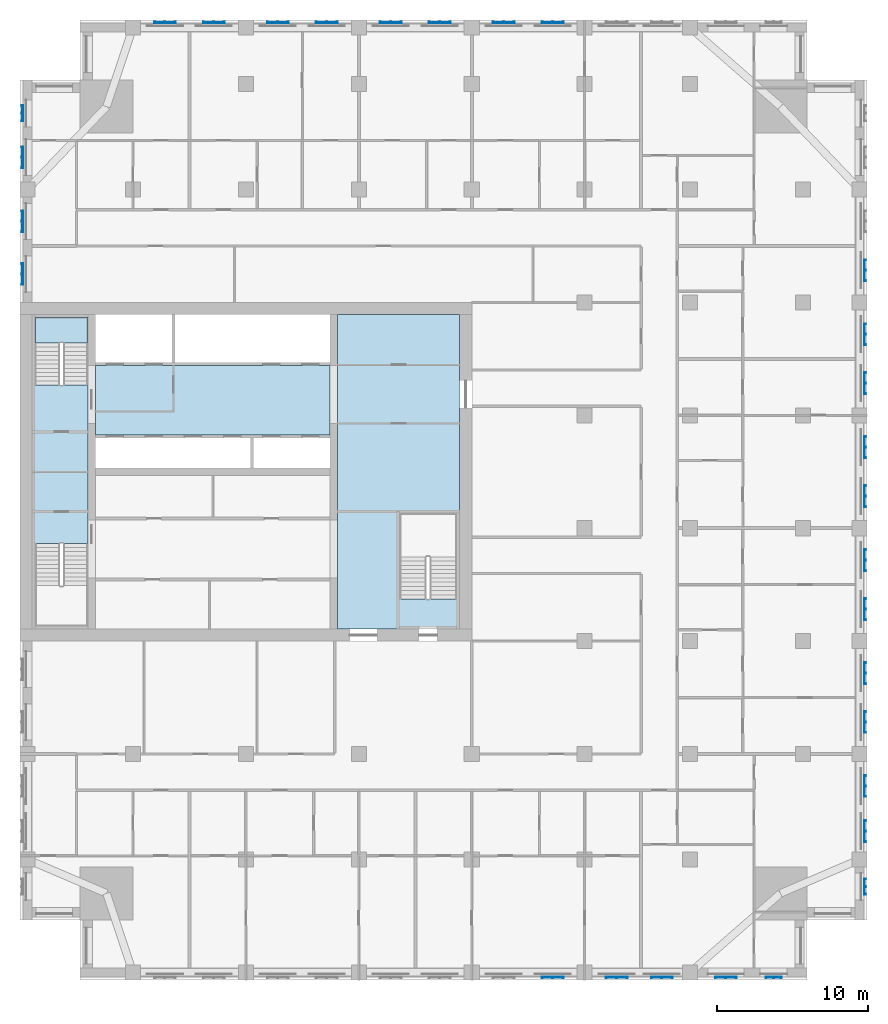
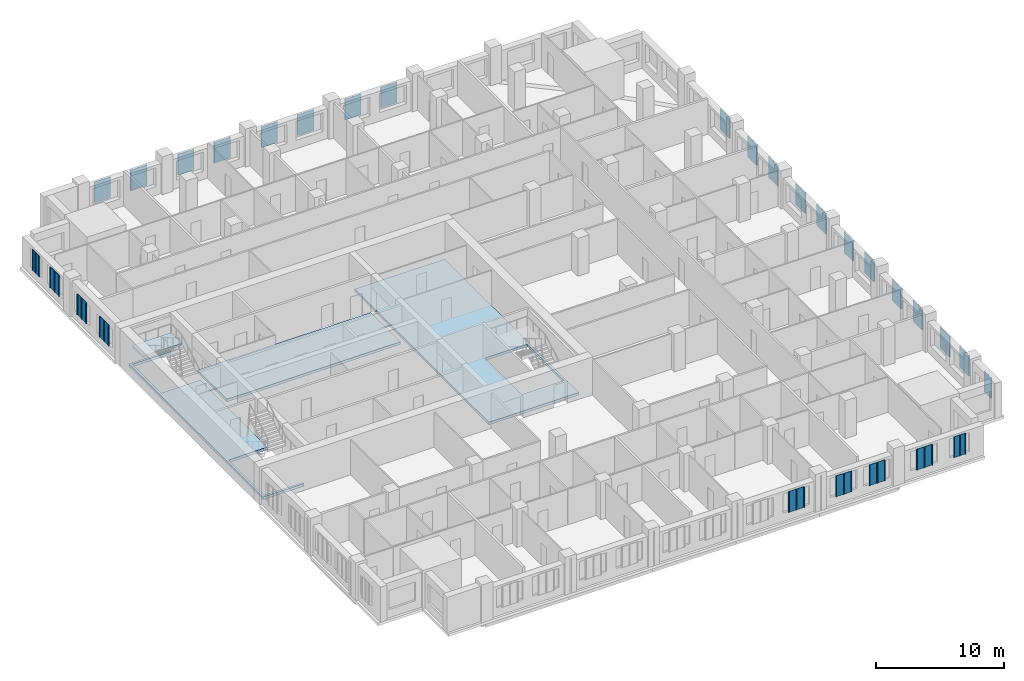
# One storey, part 2 of 13: 29 plates, 4 slabs, 1 element without a shape of its own.
"""IFC4 building model written with IfcOpenShell, lengths in metres."""

from ifc_helpers import new_model, si_unit, direction, frame, origin, place, context, subcontext, project, spatial, polyline, outline, extrude, material, layer, layer_set, type_object, element, aggregate, save


model = new_model("IFC4")

# Units and contexts
model_context = context("Model", 3, precision=1e-05, world=origin(), true_north=direction((0.0, 1.0)))
body_context = subcontext(model_context, "Body", "Model", "MODEL_VIEW")
ifc_project = project(units=[si_unit("LENGTHUNIT", "METRE"), si_unit("AREAUNIT", "SQUARE_METRE"), si_unit("VOLUMEUNIT", "CUBIC_METRE"), si_unit("PLANEANGLEUNIT", "RADIAN"), si_unit("MASSUNIT", "GRAM", prefix="KILO")], contexts=[model_context])

# Site, building, storey
site_placement = place(None, origin())
site = spatial("IfcSite", under=ifc_project, at=site_placement, CompositionType="ELEMENT")
building_placement = place(site_placement, origin())
building = spatial("IfcBuilding", under=site, at=building_placement, Name="Tamorin Gate", CompositionType="ELEMENT")
storey_placement = place(building_placement, frame((0.0, 0.0, 144.60009765625)))
storey = spatial("IfcBuildingStorey", under=building, at=storey_placement, Name="L35", CompositionType="ELEMENT", Elevation=144.60009765625)

# Slabs
ifc_material_1 = material(Name="Concrete C40/50", Category="concrete")
ifc_layer_1 = layer(ifc_material_1, 0.25)
ifc_layer_set_1 = layer_set([ifc_layer_1], Name="Core floor slab 250 C40/50")
slab_type_1 = type_object("IfcSlabType", Name="Core floor slab 250 C40/50", PredefinedType="FLOOR", material=ifc_layer_set_1)
slab_1_placement = place(storey_placement, frame((0.0, 0.0, -0.25)))
element("IfcSlab", 1, at=slab_1_placement, inside=storey, type_object=slab_type_1, Name="Core floor L35", PredefinedType="FLOOR", context=body_context, shape_type="SweptSolid", body=[
    extrude(outline(polyline([(51.10009765625, 81.699951171875), (59.199951171875, 81.699951171875), (59.199951171875, 60.800048828125), (51.10009765625, 60.800048828125), (51.10009765625, 81.699951171875)]), holes=[polyline([(55.199951171875, 62.800048828125), (59.0, 62.800048828125), (59.0, 68.5), (55.199951171875, 68.5), (55.199951171875, 62.800048828125)])]), origin(), (0.0, 0.0, 1.0), 0.25),
])
slab_2_placement = place(storey_placement, frame((0.0, 0.0, -0.25)))
element("IfcSlab", 2, at=slab_2_placement, inside=storey, type_object=slab_type_1, Name="Core floor L35", PredefinedType="FLOOR", context=body_context, shape_type="SweptSolid", body=[
    extrude(outline(polyline([(50.60009765625, 73.699951171875), (35.0, 73.699951171875), (35.0, 78.300048828125), (50.60009765625, 78.300048828125), (50.60009765625, 73.699951171875)])), origin(), (0.0, 0.0, 1.0), 0.25),
])
slab_3_placement = place(storey_placement, frame((0.0, 0.0, -0.25)))
element("IfcSlab", 3, at=slab_3_placement, inside=storey, type_object=slab_type_1, Name="Core floor L35", PredefinedType="FLOOR", context=body_context, shape_type="SweptSolid", body=[
    extrude(outline(polyline([(34.5, 60.800048828125), (30.800048828125, 60.800048828125), (30.800048828125, 81.699951171875), (34.5, 81.699951171875), (34.5, 81.5), (31.0, 81.5), (31.0, 77.0), (34.5, 77.0), (34.5, 66.5), (31.0, 66.5), (31.0, 61.0), (34.5, 61.0), (34.5, 60.800048828125)])), origin(), (0.0, 0.0, 1.0), 0.25),
])

# Stair, slab
stair_type = type_object("IfcStairType", Name="Exit stair", PredefinedType="HALF_TURN_STAIR", material=ifc_material_1)
stair_placement = place(storey_placement, origin())
stair = element("IfcStair", 4, at=stair_placement, inside=storey, type_object=stair_type, Name="L35 stair ST2", PredefinedType="HALF_TURN_STAIR")
ifc_layer_2 = layer(ifc_material_1, 0.199951171875)
ifc_layer_set_2 = layer_set([ifc_layer_2], Name="Exit stair landing 200")
slab_type_2 = type_object("IfcSlabType", Name="Exit stair landing 200", PredefinedType="LANDING", material=ifc_layer_set_2)
slab_4_placement = place(storey_placement, frame((0.0, 0.0, 1.599853515625)))
slab_4 = element("IfcSlab", 5, at=slab_4_placement, type_object=slab_type_2, Name="ST2 landing 1", PredefinedType="LANDING", context=body_context, shape_type="SweptSolid", body=[
    extrude(outline(polyline([(34.5, 79.800048828125), (34.5, 81.5), (31.0, 81.5), (31.0, 79.800048828125), (34.5, 79.800048828125)])), origin(), (0.0, 0.0, 1.0), 0.199951171875),
])
aggregate(stair, [slab_4])

# Plates
ifc_material_2 = material(Name="Perforated pale aluminium sheet", Category="aluminium")
ifc_layer_3 = layer(ifc_material_2, 0.0400390625)
ifc_layer_set_3 = layer_set([ifc_layer_3], Name="Pale metal solar screen 1080")
plate_type_1 = type_object("IfcPlateType", Name="Pale metal solar screen 1080", PredefinedType="SHEET", material=ifc_layer_set_3)
plate_1_placement = place(storey_placement, frame((0.0, 0.0, 0.7099609375)))
element("IfcPlate", 6, at=plate_1_placement, inside=storey, type_object=plate_type_1, Name="Perforated solar screen", PredefinedType="SHEET", context=body_context, shape_type="SweptSolid", body=[
    extrude(outline(polyline([(79.510009765625, 37.659912109375), (79.510009765625, 37.699951171875), (79.570068359375, 37.699951171875), (80.02001953125, 37.699951171875), (80.080078125, 37.699951171875), (80.530029296875, 37.699951171875), (80.590087890625, 37.699951171875), (80.590087890625, 37.659912109375), (80.590087890625, 37.60009765625), (80.530029296875, 37.60009765625), (80.530029296875, 37.659912109375), (80.080078125, 37.659912109375), (80.080078125, 37.60009765625), (80.02001953125, 37.60009765625), (80.02001953125, 37.659912109375), (79.570068359375, 37.659912109375), (79.570068359375, 37.60009765625), (79.510009765625, 37.60009765625), (79.510009765625, 37.659912109375)])), origin(), (0.0, 0.0, 1.0), 1.97998046875),
])
plate_2_placement = place(storey_placement, frame((0.0, 0.0, 0.7099609375)))
element("IfcPlate", 7, at=plate_2_placement, inside=storey, type_object=plate_type_1, Name="Perforated solar screen", PredefinedType="SHEET", context=body_context, shape_type="SweptSolid", body=[
    extrude(outline(polyline([(86.090087890625, 43.159912109375), (86.050048828125, 43.159912109375), (86.050048828125, 43.219970703125), (86.050048828125, 43.669921875), (86.050048828125, 43.72998046875), (86.050048828125, 44.179931640625), (86.050048828125, 44.239990234375), (86.090087890625, 44.239990234375), (86.14990234375, 44.239990234375), (86.14990234375, 44.179931640625), (86.090087890625, 44.179931640625), (86.090087890625, 43.72998046875), (86.14990234375, 43.72998046875), (86.14990234375, 43.669921875), (86.090087890625, 43.669921875), (86.090087890625, 43.219970703125), (86.14990234375, 43.219970703125), (86.14990234375, 43.159912109375), (86.090087890625, 43.159912109375)])), origin(), (0.0, 0.0, 1.0), 1.97998046875),
])
plate_3_placement = place(storey_placement, frame((0.0, 0.0, 0.7099609375)))
element("IfcPlate", 8, at=plate_3_placement, inside=storey, type_object=plate_type_1, Name="Perforated solar screen", PredefinedType="SHEET", context=body_context, shape_type="SweptSolid", body=[
    extrude(outline(polyline([(30.159912109375, 95.590087890625), (30.199951171875, 95.590087890625), (30.199951171875, 95.530029296875), (30.199951171875, 95.080078125), (30.199951171875, 95.02001953125), (30.199951171875, 94.570068359375), (30.199951171875, 94.510009765625), (30.159912109375, 94.510009765625), (30.10009765625, 94.510009765625), (30.10009765625, 94.570068359375), (30.159912109375, 94.570068359375), (30.159912109375, 95.02001953125), (30.10009765625, 95.02001953125), (30.10009765625, 95.080078125), (30.159912109375, 95.080078125), (30.159912109375, 95.530029296875), (30.10009765625, 95.530029296875), (30.10009765625, 95.590087890625), (30.159912109375, 95.590087890625)])), origin(), (0.0, 0.0, 1.0), 1.97998046875),
])
ifc_layer_4 = layer(ifc_material_2, 0.0400390625)
ifc_layer_set_4 = layer_set([ifc_layer_4], Name="Pale metal solar screen 1440")
plate_type_2 = type_object("IfcPlateType", Name="Pale metal solar screen 1440", PredefinedType="SHEET", material=ifc_layer_set_4)
plate_4_placement = place(storey_placement, frame((0.0, 0.0, 0.7099609375)))
element("IfcPlate", 9, at=plate_4_placement, inside=storey, type_object=plate_type_2, Name="Perforated solar screen", PredefinedType="SHEET", context=body_context, shape_type="SweptSolid", body=[
    extrude(outline(polyline([(64.655029296875, 37.659912109375), (64.655029296875, 37.699951171875), (64.715087890625, 37.699951171875), (65.344970703125, 37.699951171875), (65.405029296875, 37.699951171875), (66.034912109375, 37.699951171875), (66.094970703125, 37.699951171875), (66.094970703125, 37.659912109375), (66.094970703125, 37.60009765625), (66.034912109375, 37.60009765625), (66.034912109375, 37.659912109375), (65.405029296875, 37.659912109375), (65.405029296875, 37.60009765625), (65.344970703125, 37.60009765625), (65.344970703125, 37.659912109375), (64.715087890625, 37.659912109375), (64.715087890625, 37.60009765625), (64.655029296875, 37.60009765625), (64.655029296875, 37.659912109375)])), origin(), (0.0, 0.0, 1.0), 1.97998046875),
])
plate_5_placement = place(storey_placement, frame((0.0, 0.0, 0.7099609375)))
element("IfcPlate", 10, at=plate_5_placement, inside=storey, type_object=plate_type_2, Name="Perforated solar screen", PredefinedType="SHEET", context=body_context, shape_type="SweptSolid", body=[
    extrude(outline(polyline([(68.905029296875, 37.659912109375), (68.905029296875, 37.699951171875), (68.965087890625, 37.699951171875), (69.594970703125, 37.699951171875), (69.655029296875, 37.699951171875), (70.284912109375, 37.699951171875), (70.344970703125, 37.699951171875), (70.344970703125, 37.659912109375), (70.344970703125, 37.60009765625), (70.284912109375, 37.60009765625), (70.284912109375, 37.659912109375), (69.655029296875, 37.659912109375), (69.655029296875, 37.60009765625), (69.594970703125, 37.60009765625), (69.594970703125, 37.659912109375), (68.965087890625, 37.659912109375), (68.965087890625, 37.60009765625), (68.905029296875, 37.60009765625), (68.905029296875, 37.659912109375)])), origin(), (0.0, 0.0, 1.0), 1.97998046875),
])
plate_6_placement = place(storey_placement, frame((0.0, 0.0, 0.7099609375)))
element("IfcPlate", 11, at=plate_6_placement, inside=storey, type_object=plate_type_2, Name="Perforated solar screen", PredefinedType="SHEET", context=body_context, shape_type="SweptSolid", body=[
    extrude(outline(polyline([(71.905029296875, 37.659912109375), (71.905029296875, 37.699951171875), (71.965087890625, 37.699951171875), (72.594970703125, 37.699951171875), (72.655029296875, 37.699951171875), (73.284912109375, 37.699951171875), (73.344970703125, 37.699951171875), (73.344970703125, 37.659912109375), (73.344970703125, 37.60009765625), (73.284912109375, 37.60009765625), (73.284912109375, 37.659912109375), (72.655029296875, 37.659912109375), (72.655029296875, 37.60009765625), (72.594970703125, 37.60009765625), (72.594970703125, 37.659912109375), (71.965087890625, 37.659912109375), (71.965087890625, 37.60009765625), (71.905029296875, 37.60009765625), (71.905029296875, 37.659912109375)])), origin(), (0.0, 0.0, 1.0), 1.97998046875),
])
plate_7_placement = place(storey_placement, frame((0.0, 0.0, 0.7099609375)))
element("IfcPlate", 12, at=plate_7_placement, inside=storey, type_object=plate_type_2, Name="Perforated solar screen", PredefinedType="SHEET", context=body_context, shape_type="SweptSolid", body=[
    extrude(outline(polyline([(76.155029296875, 37.659912109375), (76.155029296875, 37.699951171875), (76.215087890625, 37.699951171875), (76.844970703125, 37.699951171875), (76.905029296875, 37.699951171875), (77.534912109375, 37.699951171875), (77.594970703125, 37.699951171875), (77.594970703125, 37.659912109375), (77.594970703125, 37.60009765625), (77.534912109375, 37.60009765625), (77.534912109375, 37.659912109375), (76.905029296875, 37.659912109375), (76.905029296875, 37.60009765625), (76.844970703125, 37.60009765625), (76.844970703125, 37.659912109375), (76.215087890625, 37.659912109375), (76.215087890625, 37.60009765625), (76.155029296875, 37.60009765625), (76.155029296875, 37.659912109375)])), origin(), (0.0, 0.0, 1.0), 1.97998046875),
])
plate_8_placement = place(storey_placement, frame((0.0, 0.0, 0.7099609375)))
element("IfcPlate", 13, at=plate_8_placement, inside=storey, type_object=plate_type_2, Name="Perforated solar screen", PredefinedType="SHEET", context=body_context, shape_type="SweptSolid", body=[
    extrude(outline(polyline([(86.090087890625, 46.655029296875), (86.050048828125, 46.655029296875), (86.050048828125, 46.715087890625), (86.050048828125, 47.344970703125), (86.050048828125, 47.405029296875), (86.050048828125, 48.034912109375), (86.050048828125, 48.094970703125), (86.050048828125, 48.094970703125), (86.090087890625, 48.094970703125), (86.090087890625, 48.094970703125), (86.14990234375, 48.094970703125), (86.14990234375, 48.034912109375), (86.090087890625, 48.034912109375), (86.090087890625, 47.405029296875), (86.14990234375, 47.405029296875), (86.14990234375, 47.344970703125), (86.090087890625, 47.344970703125), (86.090087890625, 46.715087890625), (86.14990234375, 46.715087890625), (86.14990234375, 46.655029296875), (86.090087890625, 46.655029296875)])), origin(), (0.0, 0.0, 1.0), 1.97998046875),
])
plate_9_placement = place(storey_placement, frame((0.0, 0.0, 0.7099609375)))
element("IfcPlate", 14, at=plate_9_placement, inside=storey, type_object=plate_type_2, Name="Perforated solar screen", PredefinedType="SHEET", context=body_context, shape_type="SweptSolid", body=[
    extrude(outline(polyline([(86.090087890625, 49.655029296875), (86.050048828125, 49.655029296875), (86.050048828125, 49.715087890625), (86.050048828125, 50.344970703125), (86.050048828125, 50.405029296875), (86.050048828125, 51.034912109375), (86.050048828125, 51.094970703125), (86.090087890625, 51.094970703125), (86.14990234375, 51.094970703125), (86.14990234375, 51.034912109375), (86.090087890625, 51.034912109375), (86.090087890625, 50.405029296875), (86.14990234375, 50.405029296875), (86.14990234375, 50.344970703125), (86.090087890625, 50.344970703125), (86.090087890625, 49.715087890625), (86.14990234375, 49.715087890625), (86.14990234375, 49.655029296875), (86.090087890625, 49.655029296875)])), origin(), (0.0, 0.0, 1.0), 1.97998046875),
])
plate_10_placement = place(storey_placement, frame((0.0, 0.0, 0.7099609375)))
element("IfcPlate", 15, at=plate_10_placement, inside=storey, type_object=plate_type_2, Name="Perforated solar screen", PredefinedType="SHEET", context=body_context, shape_type="SweptSolid", body=[
    extrude(outline(polyline([(86.090087890625, 53.905029296875), (86.050048828125, 53.905029296875), (86.050048828125, 53.965087890625), (86.050048828125, 54.594970703125), (86.050048828125, 54.655029296875), (86.050048828125, 55.284912109375), (86.050048828125, 55.344970703125), (86.090087890625, 55.344970703125), (86.14990234375, 55.344970703125), (86.14990234375, 55.284912109375), (86.090087890625, 55.284912109375), (86.090087890625, 54.655029296875), (86.14990234375, 54.655029296875), (86.14990234375, 54.594970703125), (86.090087890625, 54.594970703125), (86.090087890625, 53.965087890625), (86.14990234375, 53.965087890625), (86.14990234375, 53.905029296875), (86.090087890625, 53.905029296875)])), origin(), (0.0, 0.0, 1.0), 1.97998046875),
])
plate_11_placement = place(storey_placement, frame((0.0, 0.0, 0.7099609375)))
element("IfcPlate", 16, at=plate_11_placement, inside=storey, type_object=plate_type_2, Name="Perforated solar screen", PredefinedType="SHEET", context=body_context, shape_type="SweptSolid", body=[
    extrude(outline(polyline([(86.090087890625, 57.155029296875), (86.050048828125, 57.155029296875), (86.050048828125, 57.215087890625), (86.050048828125, 57.844970703125), (86.050048828125, 57.905029296875), (86.050048828125, 58.534912109375), (86.050048828125, 58.594970703125), (86.090087890625, 58.594970703125), (86.14990234375, 58.594970703125), (86.14990234375, 58.534912109375), (86.090087890625, 58.534912109375), (86.090087890625, 57.905029296875), (86.14990234375, 57.905029296875), (86.14990234375, 57.844970703125), (86.090087890625, 57.844970703125), (86.090087890625, 57.215087890625), (86.14990234375, 57.215087890625), (86.14990234375, 57.155029296875), (86.090087890625, 57.155029296875)])), origin(), (0.0, 0.0, 1.0), 1.97998046875),
])
plate_12_placement = place(storey_placement, frame((0.0, 0.0, 0.7099609375)))
element("IfcPlate", 17, at=plate_12_placement, inside=storey, type_object=plate_type_2, Name="Perforated solar screen", PredefinedType="SHEET", context=body_context, shape_type="SweptSolid", body=[
    extrude(outline(polyline([(86.090087890625, 61.405029296875), (86.050048828125, 61.405029296875), (86.050048828125, 61.465087890625), (86.050048828125, 62.094970703125), (86.050048828125, 62.155029296875), (86.050048828125, 62.784912109375), (86.050048828125, 62.844970703125), (86.090087890625, 62.844970703125), (86.14990234375, 62.844970703125), (86.14990234375, 62.784912109375), (86.090087890625, 62.784912109375), (86.090087890625, 62.155029296875), (86.14990234375, 62.155029296875), (86.14990234375, 62.094970703125), (86.090087890625, 62.094970703125), (86.090087890625, 61.465087890625), (86.14990234375, 61.465087890625), (86.14990234375, 61.405029296875), (86.090087890625, 61.405029296875)])), origin(), (0.0, 0.0, 1.0), 1.97998046875),
])
plate_13_placement = place(storey_placement, frame((0.0, 0.0, 0.7099609375)))
element("IfcPlate", 18, at=plate_13_placement, inside=storey, type_object=plate_type_2, Name="Perforated solar screen", PredefinedType="SHEET", context=body_context, shape_type="SweptSolid", body=[
    extrude(outline(polyline([(86.090087890625, 64.655029296875), (86.050048828125, 64.655029296875), (86.050048828125, 64.715087890625), (86.050048828125, 65.344970703125), (86.050048828125, 65.405029296875), (86.050048828125, 66.034912109375), (86.050048828125, 66.094970703125), (86.090087890625, 66.094970703125), (86.14990234375, 66.094970703125), (86.14990234375, 66.034912109375), (86.090087890625, 66.034912109375), (86.090087890625, 65.405029296875), (86.14990234375, 65.405029296875), (86.14990234375, 65.344970703125), (86.090087890625, 65.344970703125), (86.090087890625, 64.715087890625), (86.14990234375, 64.715087890625), (86.14990234375, 64.655029296875), (86.090087890625, 64.655029296875)])), origin(), (0.0, 0.0, 1.0), 1.97998046875),
])
plate_14_placement = place(storey_placement, frame((0.0, 0.0, 0.7099609375)))
element("IfcPlate", 19, at=plate_14_placement, inside=storey, type_object=plate_type_2, Name="Perforated solar screen", PredefinedType="SHEET", context=body_context, shape_type="SweptSolid", body=[
    extrude(outline(polyline([(86.090087890625, 68.905029296875), (86.050048828125, 68.905029296875), (86.050048828125, 68.965087890625), (86.050048828125, 69.594970703125), (86.050048828125, 69.655029296875), (86.050048828125, 70.284912109375), (86.050048828125, 70.344970703125), (86.090087890625, 70.344970703125), (86.14990234375, 70.344970703125), (86.14990234375, 70.284912109375), (86.090087890625, 70.284912109375), (86.090087890625, 69.655029296875), (86.14990234375, 69.655029296875), (86.14990234375, 69.594970703125), (86.090087890625, 69.594970703125), (86.090087890625, 68.965087890625), (86.14990234375, 68.965087890625), (86.14990234375, 68.905029296875), (86.090087890625, 68.905029296875)])), origin(), (0.0, 0.0, 1.0), 1.97998046875),
])
plate_15_placement = place(storey_placement, frame((0.0, 0.0, 0.7099609375)))
element("IfcPlate", 20, at=plate_15_placement, inside=storey, type_object=plate_type_2, Name="Perforated solar screen", PredefinedType="SHEET", context=body_context, shape_type="SweptSolid", body=[
    extrude(outline(polyline([(86.090087890625, 72.155029296875), (86.050048828125, 72.155029296875), (86.050048828125, 72.215087890625), (86.050048828125, 72.844970703125), (86.050048828125, 72.905029296875), (86.050048828125, 73.534912109375), (86.050048828125, 73.594970703125), (86.090087890625, 73.594970703125), (86.14990234375, 73.594970703125), (86.14990234375, 73.534912109375), (86.090087890625, 73.534912109375), (86.090087890625, 72.905029296875), (86.14990234375, 72.905029296875), (86.14990234375, 72.844970703125), (86.090087890625, 72.844970703125), (86.090087890625, 72.215087890625), (86.14990234375, 72.215087890625), (86.14990234375, 72.155029296875), (86.090087890625, 72.155029296875)])), origin(), (0.0, 0.0, 1.0), 1.97998046875),
])
plate_16_placement = place(storey_placement, frame((0.0, 0.0, 0.7099609375)))
element("IfcPlate", 21, at=plate_16_placement, inside=storey, type_object=plate_type_2, Name="Perforated solar screen", PredefinedType="SHEET", context=body_context, shape_type="SweptSolid", body=[
    extrude(outline(polyline([(86.090087890625, 76.405029296875), (86.050048828125, 76.405029296875), (86.050048828125, 76.465087890625), (86.050048828125, 77.094970703125), (86.050048828125, 77.155029296875), (86.050048828125, 77.784912109375), (86.050048828125, 77.844970703125), (86.090087890625, 77.844970703125), (86.14990234375, 77.844970703125), (86.14990234375, 77.784912109375), (86.090087890625, 77.784912109375), (86.090087890625, 77.155029296875), (86.14990234375, 77.155029296875), (86.14990234375, 77.094970703125), (86.090087890625, 77.094970703125), (86.090087890625, 76.465087890625), (86.14990234375, 76.465087890625), (86.14990234375, 76.405029296875), (86.090087890625, 76.405029296875)])), origin(), (0.0, 0.0, 1.0), 1.97998046875),
])
plate_17_placement = place(storey_placement, frame((0.0, 0.0, 0.7099609375)))
element("IfcPlate", 22, at=plate_17_placement, inside=storey, type_object=plate_type_2, Name="Perforated solar screen", PredefinedType="SHEET", context=body_context, shape_type="SweptSolid", body=[
    extrude(outline(polyline([(86.090087890625, 79.655029296875), (86.050048828125, 79.655029296875), (86.050048828125, 79.715087890625), (86.050048828125, 80.344970703125), (86.050048828125, 80.405029296875), (86.050048828125, 81.034912109375), (86.050048828125, 81.094970703125), (86.090087890625, 81.094970703125), (86.14990234375, 81.094970703125), (86.14990234375, 81.034912109375), (86.090087890625, 81.034912109375), (86.090087890625, 80.405029296875), (86.14990234375, 80.405029296875), (86.14990234375, 80.344970703125), (86.090087890625, 80.344970703125), (86.090087890625, 79.715087890625), (86.14990234375, 79.715087890625), (86.14990234375, 79.655029296875), (86.090087890625, 79.655029296875)])), origin(), (0.0, 0.0, 1.0), 1.97998046875),
])
plate_18_placement = place(storey_placement, frame((0.0, 0.0, 0.7099609375)))
element("IfcPlate", 23, at=plate_18_placement, inside=storey, type_object=plate_type_2, Name="Perforated solar screen", PredefinedType="SHEET", context=body_context, shape_type="SweptSolid", body=[
    extrude(outline(polyline([(86.090087890625, 83.905029296875), (86.050048828125, 83.905029296875), (86.050048828125, 83.965087890625), (86.050048828125, 84.594970703125), (86.050048828125, 84.655029296875), (86.050048828125, 85.284912109375), (86.050048828125, 85.344970703125), (86.090087890625, 85.344970703125), (86.14990234375, 85.344970703125), (86.14990234375, 85.284912109375), (86.090087890625, 85.284912109375), (86.090087890625, 84.655029296875), (86.14990234375, 84.655029296875), (86.14990234375, 84.594970703125), (86.090087890625, 84.594970703125), (86.090087890625, 83.965087890625), (86.14990234375, 83.965087890625), (86.14990234375, 83.905029296875), (86.090087890625, 83.905029296875)])), origin(), (0.0, 0.0, 1.0), 1.97998046875),
])
plate_19_placement = place(storey_placement, frame((0.0, 0.0, 0.7099609375)))
element("IfcPlate", 24, at=plate_19_placement, inside=storey, type_object=plate_type_2, Name="Perforated solar screen", PredefinedType="SHEET", context=body_context, shape_type="SweptSolid", body=[
    extrude(outline(polyline([(62.844970703125, 101.090087890625), (62.844970703125, 101.050048828125), (62.784912109375, 101.050048828125), (62.155029296875, 101.050048828125), (62.094970703125, 101.050048828125), (61.465087890625, 101.050048828125), (61.405029296875, 101.050048828125), (61.405029296875, 101.090087890625), (61.405029296875, 101.14990234375), (61.465087890625, 101.14990234375), (61.465087890625, 101.090087890625), (62.094970703125, 101.090087890625), (62.094970703125, 101.14990234375), (62.155029296875, 101.14990234375), (62.155029296875, 101.090087890625), (62.784912109375, 101.090087890625), (62.784912109375, 101.14990234375), (62.844970703125, 101.14990234375), (62.844970703125, 101.090087890625)])), origin(), (0.0, 0.0, 1.0), 1.97998046875),
])
plate_20_placement = place(storey_placement, frame((0.0, 0.0, 0.7099609375)))
element("IfcPlate", 25, at=plate_20_placement, inside=storey, type_object=plate_type_2, Name="Perforated solar screen", PredefinedType="SHEET", context=body_context, shape_type="SweptSolid", body=[
    extrude(outline(polyline([(66.094970703125, 101.090087890625), (66.094970703125, 101.050048828125), (66.034912109375, 101.050048828125), (65.405029296875, 101.050048828125), (65.344970703125, 101.050048828125), (64.715087890625, 101.050048828125), (64.655029296875, 101.050048828125), (64.655029296875, 101.090087890625), (64.655029296875, 101.14990234375), (64.715087890625, 101.14990234375), (64.715087890625, 101.090087890625), (65.344970703125, 101.090087890625), (65.344970703125, 101.14990234375), (65.405029296875, 101.14990234375), (65.405029296875, 101.090087890625), (66.034912109375, 101.090087890625), (66.034912109375, 101.14990234375), (66.094970703125, 101.14990234375), (66.094970703125, 101.090087890625)])), origin(), (0.0, 0.0, 1.0), 1.97998046875),
])
plate_21_placement = place(storey_placement, frame((0.0, 0.0, 0.7099609375)))
element("IfcPlate", 26, at=plate_21_placement, inside=storey, type_object=plate_type_2, Name="Perforated solar screen", PredefinedType="SHEET", context=body_context, shape_type="SweptSolid", body=[
    extrude(outline(polyline([(55.344970703125, 101.090087890625), (55.344970703125, 101.050048828125), (55.284912109375, 101.050048828125), (54.655029296875, 101.050048828125), (54.594970703125, 101.050048828125), (53.965087890625, 101.050048828125), (53.905029296875, 101.050048828125), (53.905029296875, 101.090087890625), (53.905029296875, 101.14990234375), (53.965087890625, 101.14990234375), (53.965087890625, 101.090087890625), (54.594970703125, 101.090087890625), (54.594970703125, 101.14990234375), (54.655029296875, 101.14990234375), (54.655029296875, 101.090087890625), (55.284912109375, 101.090087890625), (55.284912109375, 101.14990234375), (55.344970703125, 101.14990234375), (55.344970703125, 101.090087890625)])), origin(), (0.0, 0.0, 1.0), 1.97998046875),
])
plate_22_placement = place(storey_placement, frame((0.0, 0.0, 0.7099609375)))
element("IfcPlate", 27, at=plate_22_placement, inside=storey, type_object=plate_type_2, Name="Perforated solar screen", PredefinedType="SHEET", context=body_context, shape_type="SweptSolid", body=[
    extrude(outline(polyline([(58.594970703125, 101.090087890625), (58.594970703125, 101.050048828125), (58.534912109375, 101.050048828125), (57.905029296875, 101.050048828125), (57.844970703125, 101.050048828125), (57.215087890625, 101.050048828125), (57.155029296875, 101.050048828125), (57.155029296875, 101.090087890625), (57.155029296875, 101.14990234375), (57.215087890625, 101.14990234375), (57.215087890625, 101.090087890625), (57.844970703125, 101.090087890625), (57.844970703125, 101.14990234375), (57.905029296875, 101.14990234375), (57.905029296875, 101.090087890625), (58.534912109375, 101.090087890625), (58.534912109375, 101.14990234375), (58.594970703125, 101.14990234375), (58.594970703125, 101.090087890625)])), origin(), (0.0, 0.0, 1.0), 1.97998046875),
])
plate_23_placement = place(storey_placement, frame((0.0, 0.0, 0.7099609375)))
element("IfcPlate", 28, at=plate_23_placement, inside=storey, type_object=plate_type_2, Name="Perforated solar screen", PredefinedType="SHEET", context=body_context, shape_type="SweptSolid", body=[
    extrude(outline(polyline([(47.844970703125, 101.090087890625), (47.844970703125, 101.050048828125), (47.784912109375, 101.050048828125), (47.155029296875, 101.050048828125), (47.094970703125, 101.050048828125), (46.465087890625, 101.050048828125), (46.405029296875, 101.050048828125), (46.405029296875, 101.090087890625), (46.405029296875, 101.14990234375), (46.465087890625, 101.14990234375), (46.465087890625, 101.090087890625), (47.094970703125, 101.090087890625), (47.094970703125, 101.14990234375), (47.155029296875, 101.14990234375), (47.155029296875, 101.090087890625), (47.784912109375, 101.090087890625), (47.784912109375, 101.14990234375), (47.844970703125, 101.14990234375), (47.844970703125, 101.090087890625)])), origin(), (0.0, 0.0, 1.0), 1.97998046875),
])
plate_24_placement = place(storey_placement, frame((0.0, 0.0, 0.7099609375)))
element("IfcPlate", 29, at=plate_24_placement, inside=storey, type_object=plate_type_2, Name="Perforated solar screen", PredefinedType="SHEET", context=body_context, shape_type="SweptSolid", body=[
    extrude(outline(polyline([(51.094970703125, 101.090087890625), (51.094970703125, 101.050048828125), (51.034912109375, 101.050048828125), (50.405029296875, 101.050048828125), (50.344970703125, 101.050048828125), (49.715087890625, 101.050048828125), (49.655029296875, 101.050048828125), (49.655029296875, 101.090087890625), (49.655029296875, 101.14990234375), (49.715087890625, 101.14990234375), (49.715087890625, 101.090087890625), (50.344970703125, 101.090087890625), (50.344970703125, 101.14990234375), (50.405029296875, 101.14990234375), (50.405029296875, 101.090087890625), (51.034912109375, 101.090087890625), (51.034912109375, 101.14990234375), (51.094970703125, 101.14990234375), (51.094970703125, 101.090087890625)])), origin(), (0.0, 0.0, 1.0), 1.97998046875),
])
plate_25_placement = place(storey_placement, frame((0.0, 0.0, 0.7099609375)))
element("IfcPlate", 30, at=plate_25_placement, inside=storey, type_object=plate_type_2, Name="Perforated solar screen", PredefinedType="SHEET", context=body_context, shape_type="SweptSolid", body=[
    extrude(outline(polyline([(40.344970703125, 101.090087890625), (40.344970703125, 101.050048828125), (40.284912109375, 101.050048828125), (39.655029296875, 101.050048828125), (39.594970703125, 101.050048828125), (38.965087890625, 101.050048828125), (38.905029296875, 101.050048828125), (38.905029296875, 101.090087890625), (38.905029296875, 101.14990234375), (38.965087890625, 101.14990234375), (38.965087890625, 101.090087890625), (39.594970703125, 101.090087890625), (39.594970703125, 101.14990234375), (39.655029296875, 101.14990234375), (39.655029296875, 101.090087890625), (40.284912109375, 101.090087890625), (40.284912109375, 101.14990234375), (40.344970703125, 101.14990234375), (40.344970703125, 101.090087890625)])), origin(), (0.0, 0.0, 1.0), 1.97998046875),
])
plate_26_placement = place(storey_placement, frame((0.0, 0.0, 0.7099609375)))
element("IfcPlate", 31, at=plate_26_placement, inside=storey, type_object=plate_type_2, Name="Perforated solar screen", PredefinedType="SHEET", context=body_context, shape_type="SweptSolid", body=[
    extrude(outline(polyline([(43.594970703125, 101.090087890625), (43.594970703125, 101.050048828125), (43.534912109375, 101.050048828125), (42.905029296875, 101.050048828125), (42.844970703125, 101.050048828125), (42.215087890625, 101.050048828125), (42.155029296875, 101.050048828125), (42.155029296875, 101.090087890625), (42.155029296875, 101.14990234375), (42.215087890625, 101.14990234375), (42.215087890625, 101.090087890625), (42.844970703125, 101.090087890625), (42.844970703125, 101.14990234375), (42.905029296875, 101.14990234375), (42.905029296875, 101.090087890625), (43.534912109375, 101.090087890625), (43.534912109375, 101.14990234375), (43.594970703125, 101.14990234375), (43.594970703125, 101.090087890625)])), origin(), (0.0, 0.0, 1.0), 1.97998046875),
])
plate_27_placement = place(storey_placement, frame((0.0, 0.0, 0.7099609375)))
element("IfcPlate", 32, at=plate_27_placement, inside=storey, type_object=plate_type_2, Name="Perforated solar screen", PredefinedType="SHEET", context=body_context, shape_type="SweptSolid", body=[
    extrude(outline(polyline([(30.159912109375, 92.844970703125), (30.199951171875, 92.844970703125), (30.199951171875, 92.784912109375), (30.199951171875, 92.155029296875), (30.199951171875, 92.094970703125), (30.199951171875, 91.465087890625), (30.199951171875, 91.405029296875), (30.199951171875, 91.405029296875), (30.159912109375, 91.405029296875), (30.159912109375, 91.405029296875), (30.10009765625, 91.405029296875), (30.10009765625, 91.465087890625), (30.159912109375, 91.465087890625), (30.159912109375, 92.094970703125), (30.10009765625, 92.094970703125), (30.10009765625, 92.155029296875), (30.159912109375, 92.155029296875), (30.159912109375, 92.784912109375), (30.10009765625, 92.784912109375), (30.10009765625, 92.844970703125), (30.159912109375, 92.844970703125)])), origin(), (0.0, 0.0, 1.0), 1.97998046875),
])
plate_28_placement = place(storey_placement, frame((0.0, 0.0, 0.7099609375)))
element("IfcPlate", 33, at=plate_28_placement, inside=storey, type_object=plate_type_2, Name="Perforated solar screen", PredefinedType="SHEET", context=body_context, shape_type="SweptSolid", body=[
    extrude(outline(polyline([(30.159912109375, 85.094970703125), (30.199951171875, 85.094970703125), (30.199951171875, 85.034912109375), (30.199951171875, 84.405029296875), (30.199951171875, 84.344970703125), (30.199951171875, 83.715087890625), (30.199951171875, 83.655029296875), (30.159912109375, 83.655029296875), (30.10009765625, 83.655029296875), (30.10009765625, 83.715087890625), (30.159912109375, 83.715087890625), (30.159912109375, 84.344970703125), (30.10009765625, 84.344970703125), (30.10009765625, 84.405029296875), (30.159912109375, 84.405029296875), (30.159912109375, 85.034912109375), (30.10009765625, 85.034912109375), (30.10009765625, 85.094970703125), (30.159912109375, 85.094970703125)])), origin(), (0.0, 0.0, 1.0), 1.97998046875),
])
plate_29_placement = place(storey_placement, frame((0.0, 0.0, 0.7099609375)))
element("IfcPlate", 34, at=plate_29_placement, inside=storey, type_object=plate_type_2, Name="Perforated solar screen", PredefinedType="SHEET", context=body_context, shape_type="SweptSolid", body=[
    extrude(outline(polyline([(30.159912109375, 88.594970703125), (30.199951171875, 88.594970703125), (30.199951171875, 88.534912109375), (30.199951171875, 87.905029296875), (30.199951171875, 87.844970703125), (30.199951171875, 87.215087890625), (30.199951171875, 87.155029296875), (30.159912109375, 87.155029296875), (30.10009765625, 87.155029296875), (30.10009765625, 87.215087890625), (30.159912109375, 87.215087890625), (30.159912109375, 87.844970703125), (30.10009765625, 87.844970703125), (30.10009765625, 87.905029296875), (30.159912109375, 87.905029296875), (30.159912109375, 88.534912109375), (30.10009765625, 88.534912109375), (30.10009765625, 88.594970703125), (30.159912109375, 88.594970703125)])), origin(), (0.0, 0.0, 1.0), 1.97998046875),
])

save(model, "model.ifc")
